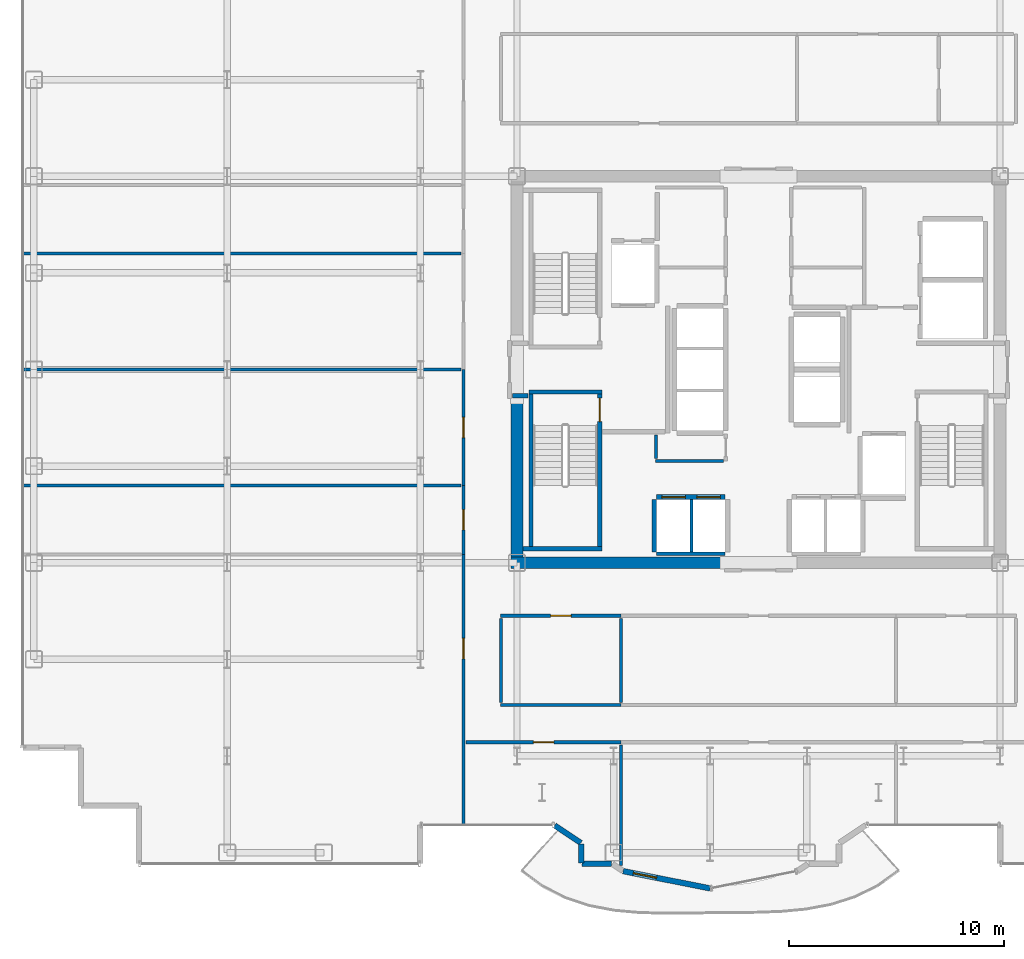
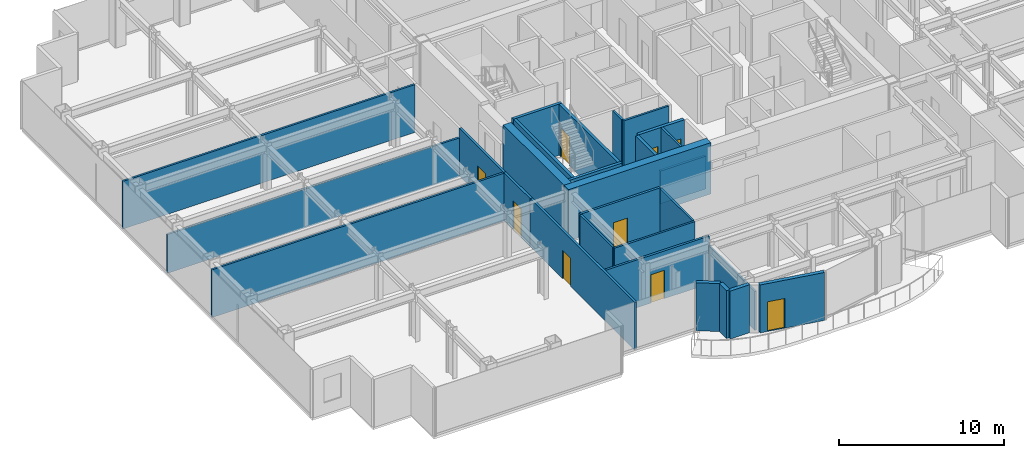
# One storey, part 15 of 22: 29 walls, 9 doors, 9 openings.
"""IFC4 building model written with IfcOpenShell, lengths in metres."""

from ifc_helpers import new_model, si_unit, direction, frame, frame_2d, origin, place, context, subcontext, project, spatial, rectangle, extrude, source, transform, mapped, material, layer, layer_set, type_object, element, fill, save


model = new_model("IFC4")

# Units and contexts
model_context = context("Model", 3, precision=1e-05, world=origin(), true_north=direction((0.0, 1.0)))
body_context = subcontext(model_context, "Body", "Model", "MODEL_VIEW")
ifc_project = project(units=[si_unit("LENGTHUNIT", "METRE"), si_unit("AREAUNIT", "SQUARE_METRE"), si_unit("VOLUMEUNIT", "CUBIC_METRE"), si_unit("PLANEANGLEUNIT", "RADIAN"), si_unit("MASSUNIT", "GRAM", prefix="KILO")], contexts=[model_context])

# Site, building, storey
site_placement = place(None, origin())
site = spatial("IfcSite", under=ifc_project, at=site_placement, CompositionType="ELEMENT")
building_placement = place(site_placement, origin())
building = spatial("IfcBuilding", under=site, at=building_placement, Name="Nefas-Gora Pilgrimage Tower", CompositionType="ELEMENT")
storey_placement = place(building_placement, frame((0.0, 0.0, 186.800048828125)))
storey = spatial("IfcBuildingStorey", under=building, at=storey_placement, Name="L46", CompositionType="ELEMENT", Elevation=186.800048828125)

# Walls
ifc_material_1 = material(Name="Concrete C60/75", Category="concrete")
ifc_layer_1 = layer(ifc_material_1, 0.550048828125)
ifc_layer_set_1 = layer_set([ifc_layer_1], Name="Concrete C60/75")
wall_type_1 = type_object("IfcWallType", Name="SW-CORE-550", PredefinedType="SHEAR", material=ifc_layer_set_1)
shared_shape_1 = source(origin(), body_context, "Body", "SweptSolid", [
    extrude(rectangle(XDim=9.974853515625, YDim=0.550048828125, at=frame_2d((4.9873046875, 0.0))), origin(), (0.0, 0.0, 1.0), 3.800048828125),
])
wall_1_placement = place(storey_placement, frame((-11.52490234375, -9.0, 0.0), z_axis=(0.0, 0.0, 1.0), x_axis=(1.0, 0.0, 0.0)))
element("IfcWall", 1, at=wall_1_placement, inside=storey, type_object=wall_type_1, Name="L46 Core Shear Wall S-West", PredefinedType="SHEAR", context=body_context, shape_type="MappedRepresentation", body=[
    mapped(shared_shape_1, transform((0.0, 0.0, 0.0), x_axis=(1.0, 0.0, 0.0), y_axis=(0.0, 1.0, 0.0), z_axis=(0.0, 0.0, 1.0), scale=1.0)),
])
shared_shape_2 = source(origin(), body_context, "Body", "SweptSolid", [
    extrude(rectangle(XDim=7.375, YDim=0.550048828125, at=frame_2d((3.6875, 0.0))), origin(), (0.0, 0.0, 1.0), 3.800048828125),
])
wall_2_placement = place(storey_placement, frame((-11.25, -8.72509765625, 0.0), z_axis=(0.0, 0.0, 1.0), x_axis=(0.0, 1.0, 0.0)))
element("IfcWall", 2, at=wall_2_placement, inside=storey, type_object=wall_type_1, Name="L46 Core Shear Wall W-South", PredefinedType="SHEAR", context=body_context, shape_type="MappedRepresentation", body=[
    mapped(shared_shape_2, transform((0.0, 0.0, 0.0), x_axis=(1.0, 0.0, 0.0), y_axis=(0.0, 1.0, 0.0), z_axis=(0.0, 0.0, 1.0), scale=1.0)),
])
ifc_material_2 = material(Name="Precast concrete C40/50", Category="concrete")
ifc_layer_2 = layer(ifc_material_2, 0.260009765625)
ifc_layer_set_2 = layer_set([ifc_layer_2], Name="Precast concrete C40/50")
wall_type_2 = type_object("IfcWallType", Name="EW-PORTAL-260", PredefinedType="SOLIDWALL", material=ifc_layer_set_2)
shared_shape_3 = source(origin(), body_context, "Body", "SweptSolid", [
    extrude(rectangle(XDim=1.468994140625, YDim=0.260009765625, at=frame_2d((0.734375, 0.0))), origin(), (0.0, 0.0, 1.0), 3.550048828125),
])
wall_3_placement = place(storey_placement, frame((-9.49462890625, -21.235595703125, 0.0), z_axis=(0.0, 0.0, 1.0), x_axis=(0.831461760506, -0.555581983884, 0.0)))
element("IfcWall", 3, at=wall_3_placement, inside=storey, type_object=wall_type_2, Name="L46 Lobe Shoulder Precast Spandrel Pier 30", PredefinedType="SOLIDWALL", context=body_context, shape_type="MappedRepresentation", body=[
    mapped(shared_shape_3, transform((0.0, 0.0, 0.0), x_axis=(1.0, 0.0, 0.0), y_axis=(0.0, 1.0, 0.0), z_axis=(0.0, 0.0, 1.0), scale=1.0)),
])
shared_shape_4 = source(origin(), body_context, "Body", "SweptSolid", [
    extrude(rectangle(XDim=0.896728515625, YDim=0.260009765625, at=frame_2d((0.4482421875, 0.0))), origin(), (0.0, 0.0, 1.0), 3.550048828125),
])
wall_4_placement = place(storey_placement, frame((-8.25, -22.09521484375, 0.0), z_axis=(0.0, 0.0, 1.0), x_axis=(0.0, -1.0, 0.0)))
element("IfcWall", 4, at=wall_4_placement, inside=storey, type_object=wall_type_2, Name="L46 Lobe Shoulder Precast Spandrel Pier 31", PredefinedType="SOLIDWALL", context=body_context, shape_type="MappedRepresentation", body=[
    mapped(shared_shape_4, transform((0.0, 0.0, 0.0), x_axis=(1.0, 0.0, 0.0), y_axis=(0.0, 1.0, 0.0), z_axis=(0.0, 0.0, 1.0), scale=1.0)),
])
shared_shape_5 = source(origin(), body_context, "Body", "SweptSolid", [
    extrude(rectangle(XDim=1.369873046875, YDim=0.260009765625, at=frame_2d((0.68505859375, 0.0))), origin(), (0.0, 0.0, 1.0), 3.550048828125),
])
wall_5_placement = place(storey_placement, frame((-8.221923828125, -23.02001953125, 0.0), z_axis=(0.0, 0.0, 1.0), x_axis=(1.0, 0.0, 0.0)))
element("IfcWall", 5, at=wall_5_placement, inside=storey, type_object=wall_type_2, Name="L46 Lobe Shoulder Precast Spandrel Pier 32", PredefinedType="SOLIDWALL", context=body_context, shape_type="MappedRepresentation", body=[
    mapped(shared_shape_5, transform((0.0, 0.0, 0.0), x_axis=(1.0, 0.0, 0.0), y_axis=(0.0, 1.0, 0.0), z_axis=(0.0, 0.0, 1.0), scale=1.0)),
])

# Wall, opening, door
shared_shape_6 = source(origin(), body_context, "Body", "SweptSolid", [
    extrude(rectangle(XDim=4.136962890625, YDim=0.260009765625, at=frame_2d((2.068359375, 0.0))), origin(), (0.0, 0.0, 1.0), 3.550048828125),
])
wall_6_placement = place(storey_placement, frame((-6.307373046875, -23.365234375, 0.0), z_axis=(0.0, 0.0, 1.0), x_axis=(0.980782170794, -0.195105954428, 0.0)))
wall_6 = element("IfcWall", 6, at=wall_6_placement, inside=storey, type_object=wall_type_2, Name="L46 Insulated Terrace Portal Wall 34", PredefinedType="SOLIDWALL", context=body_context, shape_type="MappedRepresentation", body=[
    mapped(shared_shape_6, transform((0.0, 0.0, 0.0), x_axis=(1.0, 0.0, 0.0), y_axis=(0.0, 1.0, 0.0), z_axis=(0.0, 0.0, 1.0), scale=1.0)),
])
opening_1_placement = place(wall_6_placement, frame((0.48779296875, 0.0, 0.0)))
opening_1 = element("IfcOpeningElement", 7, at=opening_1_placement, cuts=wall_6, Name="Opening ED-B1", PredefinedType="OPENING", context=body_context, shape_type="SweptSolid", body=[
    extrude(rectangle(XDim=1.10009765625, YDim=2.199951171875, at=frame_2d((0.550048828125, 1.10009765625))), frame((0.0, 0.139892578125, 0.0), z_axis=(0.0, -1.0, 0.0), x_axis=(1.0, 0.0, 0.0)), (0.0, 0.0, 1.0), 0.280029296875),
])
ifc_material_3 = material(Name="Thermally broken glazed aluminium balcony door", Category="aluminium")
door_type_1 = type_object("IfcDoorType", Name="DR-EXT-BAL-1100", OperationType="NOTDEFINED", PredefinedType="DOOR", material=ifc_material_3)
shared_shape_7 = source(origin(), body_context, "Body", "SweptSolid", [
    extrude(rectangle(XDim=1.10009765625, YDim=2.199951171875, at=frame_2d((0.550048828125, 1.10009765625))), frame((0.0, 0.02490234375, 0.0), z_axis=(0.0, -1.0, 0.0), x_axis=(1.0, 0.0, 0.0)), (0.0, 0.0, 1.0), 0.050048828125),
])
door_1_placement = place(opening_1_placement, origin())
door_1 = element("IfcDoor", 8, at=door_1_placement, inside=storey, type_object=door_type_1, Name="L46 Exterior Door (L46 S Lobe Wave Balcony)", OperationType="SINGLE_SWING_LEFT", OverallHeight=2.199951171875, OverallWidth=1.10009765625, PredefinedType="DOOR", context=body_context, shape_type="MappedRepresentation", body=[
    mapped(shared_shape_7, transform((0.0, 0.0, 0.0), x_axis=(1.0, 0.0, 0.0), y_axis=(0.0, 1.0, 0.0), z_axis=(0.0, 0.0, 1.0), scale=1.0)),
])
fill(opening_1, door_1)

# Walls
ifc_material_4 = material(Name="Concrete C45/55", Category="concrete")
ifc_layer_3 = layer(ifc_material_4, 0.199951171875)
ifc_layer_set_3 = layer_set([ifc_layer_3], Name="Concrete C45/55")
wall_type_3 = type_object("IfcWallType", Name="IW-STAIR-200", PredefinedType="SOLIDWALL", material=ifc_layer_set_3)
shared_shape_8 = source(origin(), body_context, "Body", "SweptSolid", [
    extrude(rectangle(XDim=3.39990234375, YDim=0.199951171875, at=frame_2d((1.699951171875, 0.0))), origin(), (0.0, 0.0, 1.0), 3.800048828125),
])
wall_7_placement = place(storey_placement, frame((-10.699951171875, -1.050048828125, 0.0), z_axis=(0.0, 0.0, 1.0), x_axis=(1.0, 0.0, 0.0)))
element("IfcWall", 9, at=wall_7_placement, inside=storey, type_object=wall_type_3, Name="L46 Stairwell Shear Wall ST-03-near", PredefinedType="SOLIDWALL", context=body_context, shape_type="MappedRepresentation", body=[
    mapped(shared_shape_8, transform((0.0, 0.0, 0.0), x_axis=(1.0, 0.0, 0.0), y_axis=(0.0, 1.0, 0.0), z_axis=(0.0, 0.0, 1.0), scale=1.0)),
])
shared_shape_9 = source(origin(), body_context, "Body", "SweptSolid", [
    extrude(rectangle(XDim=7.10009765625, YDim=0.199951171875, at=frame_2d((3.550048828125, 0.0))), origin(), (0.0, 0.0, 1.0), 3.800048828125),
])
wall_8_placement = place(storey_placement, frame((-10.60009765625, -1.14990234375, 0.0), z_axis=(0.0, 0.0, 1.0), x_axis=(0.0, -1.0, 0.0)))
element("IfcWall", 10, at=wall_8_placement, inside=storey, type_object=wall_type_3, Name="L46 Stairwell Shear Wall ST-03-left", PredefinedType="SOLIDWALL", context=body_context, shape_type="MappedRepresentation", body=[
    mapped(shared_shape_9, transform((0.0, 0.0, 0.0), x_axis=(1.0, 0.0, 0.0), y_axis=(0.0, 1.0, 0.0), z_axis=(0.0, 0.0, 1.0), scale=1.0)),
])

# Wall, opening, door
wall_9_placement = place(storey_placement, frame((-7.39990234375, -1.14990234375, 0.0), z_axis=(0.0, 0.0, 1.0), x_axis=(0.0, -1.0, 0.0)))
wall_9 = element("IfcWall", 11, at=wall_9_placement, inside=storey, type_object=wall_type_3, Name="L46 Stairwell Shear Wall ST-03-right", PredefinedType="SOLIDWALL", context=body_context, shape_type="MappedRepresentation", body=[
    mapped(shared_shape_9, transform((0.0, 0.0, 0.0), x_axis=(1.0, 0.0, 0.0), y_axis=(0.0, 1.0, 0.0), z_axis=(0.0, 0.0, 1.0), scale=1.0)),
])
opening_2_placement = place(wall_9_placement, frame((0.179931640625, 0.0, 0.0)))
opening_2 = element("IfcOpeningElement", 12, at=opening_2_placement, cuts=wall_9, Name="Opening ID-ST1", PredefinedType="OPENING", context=body_context, shape_type="SweptSolid", body=[
    extrude(rectangle(XDim=1.10009765625, YDim=2.14990234375, at=frame_2d((0.550048828125, 1.074951171875))), frame((0.0, 0.10986328125, 0.0), z_axis=(0.0, -1.0, 0.0), x_axis=(1.0, 0.0, 0.0)), (0.0, 0.0, 1.0), 0.219970703125),
])
ifc_material_5 = material(Name="Painted galvanised steel fire stair door", Category="steel")
door_type_2 = type_object("IfcDoorType", Name="DR-INT-STAIR-1100", OperationType="NOTDEFINED", PredefinedType="DOOR", material=ifc_material_5)
shared_shape_10 = source(origin(), body_context, "Body", "SweptSolid", [
    extrude(rectangle(XDim=1.10009765625, YDim=2.14990234375, at=frame_2d((0.550048828125, 1.074951171875))), frame((0.0, 0.02490234375, 0.0), z_axis=(0.0, -1.0, 0.0), x_axis=(1.0, 0.0, 0.0)), (0.0, 0.0, 1.0), 0.050048828125),
])
door_2_placement = place(opening_2_placement, origin())
door_2 = element("IfcDoor", 13, at=door_2_placement, inside=storey, type_object=door_type_2, Name="L46 Protected Exit Stair Door ST-03", OperationType="SINGLE_SWING_RIGHT", OverallHeight=2.14990234375, OverallWidth=1.10009765625, PredefinedType="DOOR", context=body_context, shape_type="MappedRepresentation", body=[
    mapped(shared_shape_10, transform((0.0, 0.0, 0.0), x_axis=(1.0, 0.0, 0.0), y_axis=(0.0, 1.0, 0.0), z_axis=(0.0, 0.0, 1.0), scale=1.0)),
])
fill(opening_2, door_2)

# Wall
shared_shape_11 = source(origin(), body_context, "Body", "SweptSolid", [
    extrude(rectangle(XDim=3.679931640625, YDim=0.199951171875, at=frame_2d((1.83984375, 0.0))), origin(), (0.0, 0.0, 1.0), 3.800048828125),
])
wall_10_placement = place(storey_placement, frame((-10.97998046875, -8.35009765625, 0.0), z_axis=(0.0, 0.0, 1.0), x_axis=(1.0, 0.0, 0.0)))
element("IfcWall", 14, at=wall_10_placement, inside=storey, type_object=wall_type_3, Name="L46 Stairwell Shear Wall ST-03-far", PredefinedType="SOLIDWALL", context=body_context, shape_type="MappedRepresentation", body=[
    mapped(shared_shape_11, transform((0.0, 0.0, 0.0), x_axis=(1.0, 0.0, 0.0), y_axis=(0.0, 1.0, 0.0), z_axis=(0.0, 0.0, 1.0), scale=1.0)),
])

# Wall, openings, doors
ifc_material_6 = material(Name="Concrete C40/50", Category="concrete")
ifc_layer_4 = layer(ifc_material_6, 0.219970703125)
ifc_layer_set_4 = layer_set([ifc_layer_4], Name="Concrete C40/50")
wall_type_4 = type_object("IfcWallType", Name="IW-SHAFT-220", PredefinedType="SOLIDWALL", material=ifc_layer_set_4)
shared_shape_12 = source(origin(), body_context, "Body", "SweptSolid", [
    extrude(rectangle(XDim=3.199951171875, YDim=0.219970703125, at=frame_2d((1.60009765625, 0.0))), origin(), (0.0, 0.0, 1.0), 3.534912109375),
])
wall_11_placement = place(storey_placement, frame((-1.550048828125, -5.93994140625, 0.0), z_axis=(0.0, 0.0, 1.0), x_axis=(-1.0, 0.0, 0.0)))
wall_11 = element("IfcWall", 15, at=wall_11_placement, inside=storey, type_object=wall_type_4, Name="L46 Hoistway Wall PL2-W-N", PredefinedType="SOLIDWALL", context=body_context, shape_type="MappedRepresentation", body=[
    mapped(shared_shape_12, transform((0.0, 0.0, 0.0), x_axis=(1.0, 0.0, 0.0), y_axis=(0.0, 1.0, 0.0), z_axis=(0.0, 0.0, 1.0), scale=1.0)),
])
opening_3_placement = place(wall_11_placement, frame((1.85009765625, 0.0, 0.0)))
opening_3 = element("IfcOpeningElement", 16, at=opening_3_placement, cuts=wall_11, Name="Opening LD-01", PredefinedType="OPENING", context=body_context, shape_type="SweptSolid", body=[
    extrude(rectangle(XDim=1.10009765625, YDim=2.199951171875, at=frame_2d((0.550048828125, 1.10009765625))), frame((0.0, 0.119873046875, 0.0), z_axis=(0.0, -1.0, 0.0), x_axis=(1.0, 0.0, 0.0)), (0.0, 0.0, 1.0), 0.239990234375),
])
opening_4_placement = place(wall_11_placement, frame((0.22509765625, 0.0, 0.0)))
opening_4 = element("IfcOpeningElement", 17, at=opening_4_placement, cuts=wall_11, Name="Opening LD-01", PredefinedType="OPENING", context=body_context, shape_type="SweptSolid", body=[
    extrude(rectangle(XDim=1.10009765625, YDim=2.199951171875, at=frame_2d((0.550048828125, 1.10009765625))), frame((0.0, 0.119873046875, 0.0), z_axis=(0.0, -1.0, 0.0), x_axis=(1.0, 0.0, 0.0)), (0.0, 0.0, 1.0), 0.239990234375),
])
ifc_material_7 = material(Name="Brushed stainless sliding lift landing door")
door_type_3 = type_object("IfcDoorType", Name="DR-LIFT-PASS-1100", OperationType="DOUBLE_DOOR_SLIDING", PredefinedType="DOOR", material=ifc_material_7)
door_3_placement = place(opening_3_placement, origin())
door_3 = element("IfcDoor", 18, at=door_3_placement, inside=storey, type_object=door_type_3, Name="L46 Sliding Lift Landing Door PL2-01", OperationType="DOUBLE_DOOR_SLIDING", OverallHeight=2.199951171875, OverallWidth=1.10009765625, PredefinedType="DOOR", context=body_context, shape_type="MappedRepresentation", body=[
    mapped(shared_shape_7, transform((0.0, 0.0, 0.0), x_axis=(1.0, 0.0, 0.0), y_axis=(0.0, 1.0, 0.0), z_axis=(0.0, 0.0, 1.0), scale=1.0)),
])
fill(opening_3, door_3)
door_4_placement = place(opening_4_placement, origin())
door_4 = element("IfcDoor", 19, at=door_4_placement, inside=storey, type_object=door_type_3, Name="L46 Sliding Lift Landing Door PL2-02", OperationType="DOUBLE_DOOR_SLIDING", OverallHeight=2.199951171875, OverallWidth=1.10009765625, PredefinedType="DOOR", context=body_context, shape_type="MappedRepresentation", body=[
    mapped(shared_shape_7, transform((0.0, 0.0, 0.0), x_axis=(1.0, 0.0, 0.0), y_axis=(0.0, 1.0, 0.0), z_axis=(0.0, 0.0, 1.0), scale=1.0)),
])
fill(opening_4, door_4)

# Walls
ifc_material_8 = material(Name="Gypsum acoustic stud partition")
ifc_layer_5 = layer(ifc_material_8, 0.159912109375)
ifc_layer_set_5 = layer_set([ifc_layer_5], Name="Gypsum acoustic stud partition")
wall_type_5 = type_object("IfcWallType", Name="IW-CORR-160", PredefinedType="PARTITIONING", material=ifc_layer_set_5)
shared_shape_13 = source(origin(), body_context, "Body", "SweptSolid", [
    extrude(rectangle(XDim=3.199951171875, YDim=0.159912109375, at=frame_2d((1.60009765625, 0.0))), origin(), (0.0, 0.0, 1.0), 2.425048828125),
])
wall_12_placement = place(storey_placement, frame((-4.75, -8.580078125, 0.0), z_axis=(0.0, 0.0, 1.0), x_axis=(1.0, 0.0, 0.0)))
element("IfcWall", 20, at=wall_12_placement, inside=storey, type_object=wall_type_5, Name="L46 Hoistway Wall PL2-W-S", PredefinedType="PARTITIONING", context=body_context, shape_type="MappedRepresentation", body=[
    mapped(shared_shape_13, transform((0.0, 0.0, 0.0), x_axis=(1.0, 0.0, 0.0), y_axis=(0.0, 1.0, 0.0), z_axis=(0.0, 0.0, 1.0), scale=1.0)),
])
shared_shape_14 = source(origin(), body_context, "Body", "SweptSolid", [
    extrude(rectangle(XDim=2.429931640625, YDim=0.219970703125, at=frame_2d((1.21484375, 0.0))), origin(), (0.0, 0.0, 1.0), 3.534912109375),
])
wall_13_placement = place(storey_placement, frame((-4.860107421875, -6.06005859375, 0.0), z_axis=(0.0, 0.0, 1.0), x_axis=(0.0, -1.0, 0.0)))
element("IfcWall", 21, at=wall_13_placement, inside=storey, type_object=wall_type_4, Name="L46 Hoistway Wall PL2-W-W", PredefinedType="SOLIDWALL", context=body_context, shape_type="MappedRepresentation", body=[
    mapped(shared_shape_14, transform((0.0, 0.0, 0.0), x_axis=(1.0, 0.0, 0.0), y_axis=(0.0, 1.0, 0.0), z_axis=(0.0, 0.0, 1.0), scale=1.0)),
])
ifc_material_9 = material(Name="Gypsum twin-stud partition")
ifc_layer_6 = layer(ifc_material_9, 0.139892578125)
ifc_layer_set_6 = layer_set([ifc_layer_6], Name="Gypsum twin-stud partition")
wall_type_6 = type_object("IfcWallType", Name="IW-UNIT-140", PredefinedType="PARTITIONING", material=ifc_layer_set_6)
shared_shape_15 = source(origin(), body_context, "Body", "SweptSolid", [
    extrude(rectangle(XDim=2.429931640625, YDim=0.139892578125, at=frame_2d((1.21484375, 0.0))), origin(), (0.0, 0.0, 1.0), 3.534912109375),
])
wall_14_placement = place(storey_placement, frame((-3.125, -8.489990234375, 0.0), z_axis=(0.0, 0.0, 1.0), x_axis=(0.0, 1.0, 0.0)))
element("IfcWall", 22, at=wall_14_placement, inside=storey, type_object=wall_type_6, Name="L46 Hoistway Wall PL2-W-DIV", PredefinedType="PARTITIONING", context=body_context, shape_type="MappedRepresentation", body=[
    mapped(shared_shape_15, transform((0.0, 0.0, 0.0), x_axis=(1.0, 0.0, 0.0), y_axis=(0.0, 1.0, 0.0), z_axis=(0.0, 0.0, 1.0), scale=1.0)),
])
ifc_material_10 = material(Name="Gypsum fire-rated shaftwall")
ifc_layer_7 = layer(ifc_material_10, 0.199951171875)
ifc_layer_set_7 = layer_set([ifc_layer_7], Name="Gypsum fire-rated shaftwall")
wall_type_7 = type_object("IfcWallType", Name="IW-FFLOB-200", PredefinedType="PARTITIONING", material=ifc_layer_set_7)
shared_shape_16 = source(origin(), body_context, "Body", "SweptSolid", [
    extrude(rectangle(XDim=0.719970703125, YDim=0.199951171875, at=frame_2d((0.35986328125, 0.0))), origin(), (0.0, 0.0, 1.0), 3.534912109375),
])
wall_15_placement = place(storey_placement, frame((-11.4599609375, -1.219970703125, 0.0), z_axis=(0.0, 0.0, 1.0), x_axis=(1.0, 0.0, 0.0)))
element("IfcWall", 23, at=wall_15_placement, inside=storey, type_object=wall_type_7, Name="L46 FF Lobby West Throat S Wall 8", PredefinedType="PARTITIONING", context=body_context, shape_type="MappedRepresentation", body=[
    mapped(shared_shape_16, transform((0.0, 0.0, 0.0), x_axis=(1.0, 0.0, 0.0), y_axis=(0.0, 1.0, 0.0), z_axis=(0.0, 0.0, 1.0), scale=1.0)),
])
shared_shape_17 = source(origin(), body_context, "Body", "SweptSolid", [
    extrude(rectangle(XDim=20.429931640625, YDim=0.139892578125, at=frame_2d((10.21484375, 0.0))), origin(), (0.0, 0.0, 1.0), 3.534912109375),
])
for number, where, z_axis, x_axis, name in (
    (24, (-34.2900390625, -5.405029296875, 0.0), (0.0, 0.0, 1.0), (1.0, 0.0, 0.0), "L46 Pilgrim Floor Concierge Foyer Partition Wall 35"),
    (25, (-34.2900390625, 5.39501953125, 0.0), (0.0, 0.0, 1.0), (1.0, 0.0, 0.0), "L46 Pilgrim Tea and Beverage Pantry Partition Wall 39"),
):
    element("IfcWall", number, at=place(storey_placement, frame(where, z_axis=z_axis, x_axis=x_axis)), inside=storey, type_object=wall_type_6, Name=name, PredefinedType="PARTITIONING", context=body_context, shape_type="MappedRepresentation", body=[
        mapped(shared_shape_17, transform((0.0, 0.0, 0.0), x_axis=(1.0, 0.0, 0.0), y_axis=(0.0, 1.0, 0.0), z_axis=(0.0, 0.0, 1.0), scale=1.0)),
    ])
shared_shape_18 = source(origin(), body_context, "Body", "SweptSolid", [
    extrude(rectangle(XDim=3.150146484375, YDim=0.139892578125, at=frame_2d((1.5751953125, 0.0))), origin(), (0.0, 0.0, 1.0), 3.534912109375),
])
wall_16_placement = place(storey_placement, frame((-4.7900390625, -4.25, 0.0), z_axis=(0.0, 0.0, 1.0), x_axis=(1.0, 0.0, 0.0)))
element("IfcWall", 26, at=wall_16_placement, inside=storey, type_object=wall_type_6, Name="L46 Guest Self-Service Laundry Room Partition Wall 27", PredefinedType="PARTITIONING", context=body_context, shape_type="MappedRepresentation", body=[
    mapped(shared_shape_18, transform((0.0, 0.0, 0.0), x_axis=(1.0, 0.0, 0.0), y_axis=(0.0, 1.0, 0.0), z_axis=(0.0, 0.0, 1.0), scale=1.0)),
])

# Wall, opening, door
shared_shape_19 = source(origin(), body_context, "Body", "SweptSolid", [
    extrude(rectangle(XDim=12.64501953125, YDim=0.159912109375, at=frame_2d((6.322509765625, 0.0))), origin(), (0.0, 0.0, 1.0), 3.534912109375),
])
wall_17_placement = place(storey_placement, frame((-13.739990234375, -21.239990234375, 0.0), z_axis=(0.0, 0.0, 1.0), x_axis=(0.0, 1.0, 0.0)))
wall_17 = element("IfcWall", 27, at=wall_17_placement, inside=storey, type_object=wall_type_5, Name="L46 Pilgrim Floor Concierge Foyer Partition Wall 32", PredefinedType="PARTITIONING", context=body_context, shape_type="MappedRepresentation", body=[
    mapped(shared_shape_19, transform((0.0, 0.0, 0.0), x_axis=(1.0, 0.0, 0.0), y_axis=(0.0, 1.0, 0.0), z_axis=(0.0, 0.0, 1.0), scale=1.0)),
])
opening_5_placement = place(wall_17_placement, frame((7.762451171875, 0.0, 0.0)))
opening_5 = element("IfcOpeningElement", 28, at=opening_5_placement, cuts=wall_17, Name="Opening ID-GR1", PredefinedType="OPENING", context=body_context, shape_type="SweptSolid", body=[
    extrude(rectangle(XDim=0.949951171875, YDim=2.10009765625, at=frame_2d((0.47509765625, 1.050048828125))), frame((0.0, 0.08984375, 0.0), z_axis=(0.0, -1.0, 0.0), x_axis=(1.0, 0.0, 0.0)), (0.0, 0.0, 1.0), 0.179931640625),
])
ifc_material_11 = material(Name="Solid core oak fire-rated guest entrance door")
door_type_4 = type_object("IfcDoorType", Name="DR-INT-GUEST-950", OperationType="NOTDEFINED", PredefinedType="DOOR", material=ifc_material_11)
shared_shape_20 = source(origin(), body_context, "Body", "SweptSolid", [
    extrude(rectangle(XDim=0.949951171875, YDim=2.10009765625, at=frame_2d((0.47509765625, 1.050048828125))), frame((0.0, 0.02490234375, 0.0), z_axis=(0.0, -1.0, 0.0), x_axis=(1.0, 0.0, 0.0)), (0.0, 0.0, 1.0), 0.050048828125),
])
door_5_placement = place(opening_5_placement, origin())
door_5 = element("IfcDoor", 29, at=door_5_placement, inside=storey, type_object=door_type_4, Name="L46 Pilgrim Floor Concierge Foyer Door 13", OperationType="SINGLE_SWING_RIGHT", OverallHeight=2.10009765625, OverallWidth=0.949951171875, PredefinedType="DOOR", context=body_context, shape_type="MappedRepresentation", body=[
    mapped(shared_shape_20, transform((0.0, 0.0, 0.0), x_axis=(1.0, 0.0, 0.0), y_axis=(0.0, 1.0, 0.0), z_axis=(0.0, 0.0, 1.0), scale=1.0)),
])
fill(opening_5, door_5)

shared_shape_21 = source(origin(), body_context, "Body", "SweptSolid", [
    extrude(rectangle(XDim=3.2099609375, YDim=0.159912109375, at=frame_2d((1.60498046875, 0.0))), origin(), (0.0, 0.0, 1.0), 3.534912109375),
])
wall_18_placement = place(storey_placement, frame((-13.739990234375, -8.60498046875, 0.0), z_axis=(0.0, 0.0, 1.0), x_axis=(0.0, 1.0, 0.0)))
wall_18 = element("IfcWall", 30, at=wall_18_placement, inside=storey, type_object=wall_type_5, Name="L46 Pilgrim Floor Concierge Foyer Partition Wall 34", PredefinedType="PARTITIONING", context=body_context, shape_type="MappedRepresentation", body=[
    mapped(shared_shape_21, transform((0.0, 0.0, 0.0), x_axis=(1.0, 0.0, 0.0), y_axis=(0.0, 1.0, 0.0), z_axis=(0.0, 0.0, 1.0), scale=1.0)),
])
opening_6_placement = place(wall_18_placement, frame((1.1298828125, 0.0, 0.0)))
opening_6 = element("IfcOpeningElement", 31, at=opening_6_placement, cuts=wall_18, Name="Opening ID-GR1", PredefinedType="OPENING", context=body_context, shape_type="SweptSolid", body=[
    extrude(rectangle(XDim=0.949951171875, YDim=2.10009765625, at=frame_2d((0.47509765625, 1.050048828125))), frame((0.0, 0.08984375, 0.0), z_axis=(0.0, -1.0, 0.0), x_axis=(1.0, 0.0, 0.0)), (0.0, 0.0, 1.0), 0.179931640625),
])
door_6_placement = place(opening_6_placement, origin())
door_6 = element("IfcDoor", 32, at=door_6_placement, inside=storey, type_object=door_type_4, Name="L46 Pilgrim Floor Concierge Foyer Door 14", OperationType="SINGLE_SWING_LEFT", OverallHeight=2.10009765625, OverallWidth=0.949951171875, PredefinedType="DOOR", context=body_context, shape_type="MappedRepresentation", body=[
    mapped(shared_shape_20, transform((0.0, 0.0, 0.0), x_axis=(1.0, 0.0, 0.0), y_axis=(0.0, 1.0, 0.0), z_axis=(0.0, 0.0, 1.0), scale=1.0)),
])
fill(opening_6, door_6)

shared_shape_22 = source(origin(), body_context, "Body", "SweptSolid", [
    extrude(rectangle(XDim=7.22509765625, YDim=0.159912109375, at=frame_2d((3.612548828125, 0.0))), origin(), (0.0, 0.0, 1.0), 3.534912109375),
])
wall_19_placement = place(storey_placement, frame((-13.6201171875, -17.3701171875, 0.0), z_axis=(0.0, 0.0, 1.0), x_axis=(1.0, 0.0, 0.0)))
wall_19 = element("IfcWall", 33, at=wall_19_placement, inside=storey, type_object=wall_type_5, Name="L46 Pilgrim Contemplative Lounge Partition Wall 68", PredefinedType="PARTITIONING", context=body_context, shape_type="MappedRepresentation", body=[
    mapped(shared_shape_22, transform((0.0, 0.0, 0.0), x_axis=(1.0, 0.0, 0.0), y_axis=(0.0, 1.0, 0.0), z_axis=(0.0, 0.0, 1.0), scale=1.0)),
])
opening_7_placement = place(wall_19_placement, frame((3.137451171875, 0.0, 0.0)))
opening_7 = element("IfcOpeningElement", 34, at=opening_7_placement, cuts=wall_19, Name="Opening ID-GR1", PredefinedType="OPENING", context=body_context, shape_type="SweptSolid", body=[
    extrude(rectangle(XDim=0.949951171875, YDim=2.10009765625, at=frame_2d((0.47509765625, 1.050048828125))), frame((0.0, 0.08984375, 0.0), z_axis=(0.0, -1.0, 0.0), x_axis=(1.0, 0.0, 0.0)), (0.0, 0.0, 1.0), 0.179931640625),
])
door_7_placement = place(opening_7_placement, origin())
door_7 = element("IfcDoor", 35, at=door_7_placement, inside=storey, type_object=door_type_4, Name="L46 Pilgrim Contemplative Lounge Door 31", OperationType="SINGLE_SWING_RIGHT", OverallHeight=2.10009765625, OverallWidth=0.949951171875, PredefinedType="DOOR", context=body_context, shape_type="MappedRepresentation", body=[
    mapped(shared_shape_20, transform((0.0, 0.0, 0.0), x_axis=(1.0, 0.0, 0.0), y_axis=(0.0, 1.0, 0.0), z_axis=(0.0, 0.0, 1.0), scale=1.0)),
])
fill(opening_7, door_7)

# Walls
shared_shape_23 = source(origin(), body_context, "Body", "SweptSolid", [
    extrude(rectangle(XDim=20.429931640625, YDim=0.139892578125, at=frame_2d((10.21484375, 0.0))), origin(), (0.0, 0.0, 1.0), 2.875),
])
wall_20_placement = place(storey_placement, frame((-34.2900390625, -0.0048828125, 0.0), z_axis=(0.0, 0.0, 1.0), x_axis=(1.0, 0.0, 0.0)))
element("IfcWall", 36, at=wall_20_placement, inside=storey, type_object=wall_type_6, Name="L46 Pilgrim Floor Concierge Foyer Partition Wall 37", PredefinedType="PARTITIONING", context=body_context, shape_type="MappedRepresentation", body=[
    mapped(shared_shape_23, transform((0.0, 0.0, 0.0), x_axis=(1.0, 0.0, 0.0), y_axis=(0.0, 1.0, 0.0), z_axis=(0.0, 0.0, 1.0), scale=1.0)),
])
shared_shape_24 = source(origin(), body_context, "Body", "SweptSolid", [
    extrude(rectangle(XDim=1.099853515625, YDim=0.139892578125, at=frame_2d((0.5498046875, 0.0))), origin(), (0.0, 0.0, 1.0), 3.534912109375),
])
wall_21_placement = place(storey_placement, frame((-4.780029296875, -4.139892578125, 0.0), z_axis=(0.0, 0.0, 1.0), x_axis=(0.0, 1.0, 0.0)))
element("IfcWall", 37, at=wall_21_placement, inside=storey, type_object=wall_type_6, Name="L46 Guest Self-Service Laundry Room Partition Wall 28", PredefinedType="PARTITIONING", context=body_context, shape_type="MappedRepresentation", body=[
    mapped(shared_shape_24, transform((0.0, 0.0, 0.0), x_axis=(1.0, 0.0, 0.0), y_axis=(0.0, 1.0, 0.0), z_axis=(0.0, 0.0, 1.0), scale=1.0)),
])
shared_shape_25 = source(origin(), body_context, "Body", "SweptSolid", [
    extrude(rectangle(XDim=3.929931640625, YDim=0.139892578125, at=frame_2d((1.96484375, 0.0))), origin(), (0.0, 0.0, 1.0), 3.534912109375),
])
for number, where, z_axis, x_axis, name in (
    (38, (-12.0, -15.52001953125, 0.0), (0.0, 0.0, 1.0), (0.0, 1.0, 0.0), "L46 Pilgrim Contemplative Lounge Partition Wall 72"),
    (39, (-6.405029296875, -15.52001953125, 0.0), (0.0, 0.0, 1.0), (0.0, 1.0, 0.0), "L46 Pilgrim Contemplative Lounge Partition Wall 73"),
):
    element("IfcWall", number, at=place(storey_placement, frame(where, z_axis=z_axis, x_axis=x_axis)), inside=storey, type_object=wall_type_6, Name=name, PredefinedType="PARTITIONING", context=body_context, shape_type="MappedRepresentation", body=[
        mapped(shared_shape_25, transform((0.0, 0.0, 0.0), x_axis=(1.0, 0.0, 0.0), y_axis=(0.0, 1.0, 0.0), z_axis=(0.0, 0.0, 1.0), scale=1.0)),
    ])

# Wall, opening, door
shared_shape_26 = source(origin(), body_context, "Body", "SweptSolid", [
    extrude(rectangle(XDim=5.409912109375, YDim=0.159912109375, at=frame_2d((2.705078125, 0.0))), origin(), (0.0, 0.0, 1.0), 3.534912109375),
])
wall_22_placement = place(storey_placement, frame((-13.739990234375, -5.405029296875, 0.0), z_axis=(0.0, 0.0, 1.0), x_axis=(0.0, 1.0, 0.0)))
wall_22 = element("IfcWall", 40, at=wall_22_placement, inside=storey, type_object=wall_type_5, Name="L46 Pilgrim Floor Concierge Foyer Partition Wall 36", PredefinedType="PARTITIONING", context=body_context, shape_type="MappedRepresentation", body=[
    mapped(shared_shape_26, transform((0.0, 0.0, 0.0), x_axis=(1.0, 0.0, 0.0), y_axis=(0.0, 1.0, 0.0), z_axis=(0.0, 0.0, 1.0), scale=1.0)),
])
opening_8_placement = place(wall_22_placement, frame((2.22998046875, 0.0, 0.0)))
opening_8 = element("IfcOpeningElement", 41, at=opening_8_placement, cuts=wall_22, Name="Opening ID-GR1", PredefinedType="OPENING", context=body_context, shape_type="SweptSolid", body=[
    extrude(rectangle(XDim=0.949951171875, YDim=2.10009765625, at=frame_2d((0.47509765625, 1.050048828125))), frame((0.0, 0.08984375, 0.0), z_axis=(0.0, -1.0, 0.0), x_axis=(1.0, 0.0, 0.0)), (0.0, 0.0, 1.0), 0.179931640625),
])
door_8_placement = place(opening_8_placement, origin())
door_8 = element("IfcDoor", 42, at=door_8_placement, inside=storey, type_object=door_type_4, Name="L46 Pilgrim Floor Concierge Foyer Door 15", OperationType="SINGLE_SWING_RIGHT", OverallHeight=2.10009765625, OverallWidth=0.949951171875, PredefinedType="DOOR", context=body_context, shape_type="MappedRepresentation", body=[
    mapped(shared_shape_20, transform((0.0, 0.0, 0.0), x_axis=(1.0, 0.0, 0.0), y_axis=(0.0, 1.0, 0.0), z_axis=(0.0, 0.0, 1.0), scale=1.0)),
])
fill(opening_8, door_8)

# Wall
shared_shape_27 = source(origin(), body_context, "Body", "SweptSolid", [
    extrude(rectangle(XDim=5.60791015625, YDim=0.139892578125, at=frame_2d((2.803955078125, 0.0))), origin(), (0.0, 0.0, 1.0), 2.875),
])
wall_23_placement = place(storey_placement, frame((-6.405029296875, -23.097900390625, 0.0), z_axis=(0.0, 0.0, 1.0), x_axis=(0.0, 1.0, 0.0)))
element("IfcWall", 43, at=wall_23_placement, inside=storey, type_object=wall_type_6, Name="L46 Pilgrim Contemplative Lounge Partition Wall 69", PredefinedType="PARTITIONING", context=body_context, shape_type="MappedRepresentation", body=[
    mapped(shared_shape_27, transform((0.0, 0.0, 0.0), x_axis=(1.0, 0.0, 0.0), y_axis=(0.0, 1.0, 0.0), z_axis=(0.0, 0.0, 1.0), scale=1.0)),
])

# Wall, opening, door
shared_shape_28 = source(origin(), body_context, "Body", "SweptSolid", [
    extrude(rectangle(XDim=5.614990234375, YDim=0.159912109375, at=frame_2d((2.8076171875, 0.0))), origin(), (0.0, 0.0, 1.0), 3.534912109375),
])
wall_24_placement = place(storey_placement, frame((-12.010009765625, -11.469970703125, 0.0), z_axis=(0.0, 0.0, 1.0), x_axis=(1.0, 0.0, 0.0)))
wall_24 = element("IfcWall", 44, at=wall_24_placement, inside=storey, type_object=wall_type_5, Name="L46 Pilgrim Contemplative Lounge Partition Wall 70", PredefinedType="PARTITIONING", context=body_context, shape_type="MappedRepresentation", body=[
    mapped(shared_shape_28, transform((0.0, 0.0, 0.0), x_axis=(1.0, 0.0, 0.0), y_axis=(0.0, 1.0, 0.0), z_axis=(0.0, 0.0, 1.0), scale=1.0)),
])
opening_9_placement = place(wall_24_placement, frame((2.33251953125, 0.0, 0.0)))
opening_9 = element("IfcOpeningElement", 45, at=opening_9_placement, cuts=wall_24, Name="Opening ID-GR1", PredefinedType="OPENING", context=body_context, shape_type="SweptSolid", body=[
    extrude(rectangle(XDim=0.949951171875, YDim=2.10009765625, at=frame_2d((0.47509765625, 1.050048828125))), frame((0.0, 0.08984375, 0.0), z_axis=(0.0, -1.0, 0.0), x_axis=(1.0, 0.0, 0.0)), (0.0, 0.0, 1.0), 0.179931640625),
])
door_9_placement = place(opening_9_placement, origin())
door_9 = element("IfcDoor", 46, at=door_9_placement, inside=storey, type_object=door_type_4, Name="L46 Pilgrim Contemplative Lounge Door 32", OperationType="SINGLE_SWING_LEFT", OverallHeight=2.10009765625, OverallWidth=0.949951171875, PredefinedType="DOOR", context=body_context, shape_type="MappedRepresentation", body=[
    mapped(shared_shape_20, transform((0.0, 0.0, 0.0), x_axis=(1.0, 0.0, 0.0), y_axis=(0.0, 1.0, 0.0), z_axis=(0.0, 0.0, 1.0), scale=1.0)),
])
fill(opening_9, door_9)

# Wall
shared_shape_29 = source(origin(), body_context, "Body", "SweptSolid", [
    extrude(rectangle(XDim=5.614990234375, YDim=0.139892578125, at=frame_2d((2.8076171875, 0.0))), origin(), (0.0, 0.0, 1.0), 3.534912109375),
])
wall_25_placement = place(storey_placement, frame((-12.010009765625, -15.6298828125, 0.0), z_axis=(0.0, 0.0, 1.0), x_axis=(1.0, 0.0, 0.0)))
element("IfcWall", 47, at=wall_25_placement, inside=storey, type_object=wall_type_6, Name="L46 Pilgrim Contemplative Lounge Partition Wall 71", PredefinedType="PARTITIONING", context=body_context, shape_type="MappedRepresentation", body=[
    mapped(shared_shape_29, transform((0.0, 0.0, 0.0), x_axis=(1.0, 0.0, 0.0), y_axis=(0.0, 1.0, 0.0), z_axis=(0.0, 0.0, 1.0), scale=1.0)),
])

save(model, "model.ifc")
